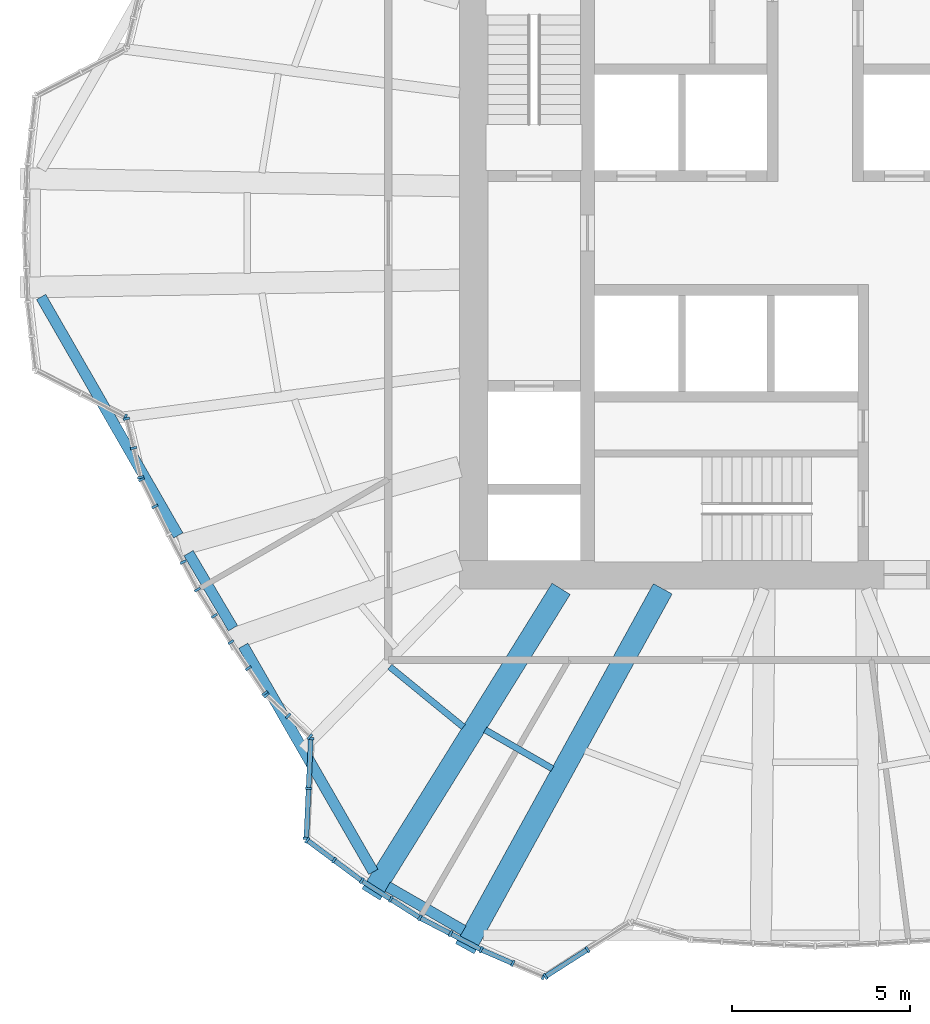
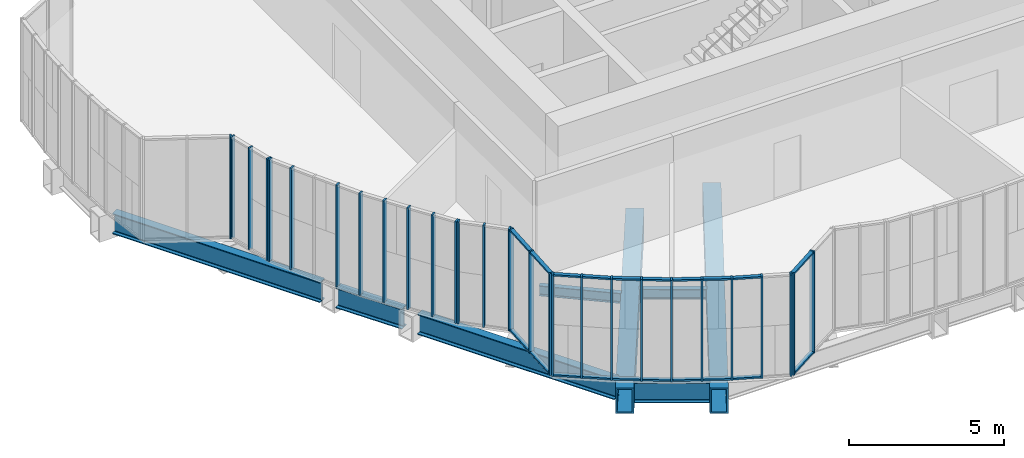
# One storey, part 1 of 24: 49 members, 8 beams, 13 elements without a shape of their own.
"""IFC4 building model written with IfcOpenShell, lengths in metres."""

from ifc_helpers import new_model, si_unit, direction, frame, origin, origin_2d, place, context, subcontext, project, spatial, rectangle, hollow_rectangle, i_section, extrude, material, material_profile, profile_set, type_object, element, aggregate, save


model = new_model("IFC4")

# Units and contexts
model_context = context("Model", 3, precision=1e-05, world=origin(), true_north=direction((0.0, 1.0)))
body_context = subcontext(model_context, "Body", "Model", "MODEL_VIEW")
ifc_project = project(units=[si_unit("LENGTHUNIT", "METRE"), si_unit("AREAUNIT", "SQUARE_METRE"), si_unit("VOLUMEUNIT", "CUBIC_METRE"), si_unit("PLANEANGLEUNIT", "RADIAN"), si_unit("MASSUNIT", "GRAM", prefix="KILO")], contexts=[model_context])

# Site, building, storey
site_placement = place(None, origin())
site = spatial("IfcSite", under=ifc_project, at=site_placement, CompositionType="ELEMENT")
building_placement = place(site_placement, origin())
building = spatial("IfcBuilding", under=site, at=building_placement, Name="Golbaran Civic Tower", CompositionType="ELEMENT")
storey_placement = place(building_placement, frame((0.0, 0.0, 25.0)))
storey = spatial("IfcBuildingStorey", under=building, at=storey_placement, Name="L05", CompositionType="ELEMENT", Elevation=25.0)

# Beams
ifc_material_1 = material(Name="Steel S355", Category="steel")
ifc_material_profile_1 = material_profile(ifc_material_1, i_section(OverallWidth=0.300048828125, OverallDepth=0.800048828125, WebThickness=0.017578125, FlangeThickness=0.032958984375, FilletRadius=0.030029296875, at=origin_2d()), Name="HEB 800")
ifc_profile_set_1 = profile_set([ifc_material_profile_1], Name="Steel S355")
beam_type_1 = type_object("IfcBeamType", Name="EDGE BEAM HEB 800", PredefinedType="BEAM", material=ifc_profile_set_1)
beam_1_placement = place(storey_placement, frame((-21.756591796875, -1.797607421875, -0.60009765625), z_axis=(0.498561902583, -0.866854099196, 0.0), x_axis=(0.866854099196, 0.498561902583, 0.0)))
element("IfcBeam", 1, at=beam_1_placement, inside=storey, type_object=beam_type_1, Name="Edge beam 183.83 L05", PredefinedType="BEAM", context=body_context, shape_type="SweptSolid", body=[
    extrude(i_section(OverallWidth=0.300048828125, OverallDepth=0.800048828125, WebThickness=0.017578125, FlangeThickness=0.032958984375, FilletRadius=0.030029296875, at=origin_2d()), origin(), (0.0, 0.0, 1.0), 7.730712890625),
])
beam_2_placement = place(storey_placement, frame((-17.61083984375, -8.998779296875, -0.60009765625), z_axis=(0.509256148857, -0.86061499804, 0.0), x_axis=(0.86061499804, 0.509256148857, 0.0)))
element("IfcBeam", 2, at=beam_2_placement, inside=storey, type_object=beam_type_1, Name="Edge beam 205.74 L05", PredefinedType="BEAM", context=body_context, shape_type="SweptSolid", body=[
    extrude(i_section(OverallWidth=0.300048828125, OverallDepth=0.800048828125, WebThickness=0.017578125, FlangeThickness=0.032958984375, FilletRadius=0.030029296875, at=origin_2d()), origin(), (0.0, 0.0, 1.0), 2.45068359375),
])
beam_3_placement = place(storey_placement, frame((-16.0751953125, -11.600830078125, -0.60009765625), z_axis=(0.498794630906, -0.866720206398, 0.0), x_axis=(0.866720206398, 0.498794630906, 0.0)))
element("IfcBeam", 3, at=beam_3_placement, inside=storey, type_object=beam_type_1, Name="Edge beam 214.26 L05", PredefinedType="BEAM", context=body_context, shape_type="SweptSolid", body=[
    extrude(i_section(OverallWidth=0.300048828125, OverallDepth=0.800048828125, WebThickness=0.017578125, FlangeThickness=0.032958984375, FilletRadius=0.030029296875, at=origin_2d()), origin(), (0.0, 0.0, 1.0), 7.32958984375),
])
beam_4_placement = place(storey_placement, frame((-12.01806640625, -18.368896484375, -0.60009765625), z_axis=(0.866183934036, -0.499725316967, 0.0), x_axis=(0.499725316967, 0.866183934036, 0.0)))
element("IfcBeam", 4, at=beam_4_placement, inside=storey, type_object=beam_type_1, Name="Edge beam 236.17 L05", PredefinedType="BEAM", context=body_context, shape_type="SweptSolid", body=[
    extrude(i_section(OverallWidth=0.300048828125, OverallDepth=0.800048828125, WebThickness=0.017578125, FlangeThickness=0.032958984375, FilletRadius=0.030029296875, at=origin_2d()), origin(), (0.0, 0.0, 1.0), 2.46044921875),
])
ifc_material_profile_2 = material_profile(ifc_material_1, i_section(OverallWidth=0.179931640625, OverallDepth=0.39990234375, WebThickness=0.008544921875, FlangeThickness=0.013427734375, FilletRadius=0.02099609375, at=origin_2d()), Name="IPE 400")
ifc_profile_set_2 = profile_set([ifc_material_profile_2], Name="Steel S355")
beam_type_2 = type_object("IfcBeamType", Name="FLOOR INFILL BEAM IPE 400", PredefinedType="BEAM", material=ifc_profile_set_2)
beam_5_placement = place(storey_placement, frame((-11.956787109375, -12.190673828125, -0.39990234375), z_axis=(0.773798586029, -0.633431723439, 0.0), x_axis=(0.633431723439, 0.773798586029, 0.0)))
element("IfcBeam", 5, at=beam_5_placement, inside=storey, type_object=beam_type_2, Name="Infill beam 230.69 L05", PredefinedType="BEAM", context=body_context, shape_type="SweptSolid", body=[
    extrude(i_section(OverallWidth=0.179931640625, OverallDepth=0.39990234375, WebThickness=0.008544921875, FlangeThickness=0.013427734375, FilletRadius=0.02099609375, at=origin_2d()), origin(), (0.0, 0.0, 1.0), 2.67333984375),
])
beam_6_placement = place(storey_placement, frame((-9.278076171875, -13.96337890625, -0.39990234375), z_axis=(0.865956542182, -0.500119252831, 0.0), x_axis=(0.500119252831, 0.865956542182, 0.0)))
element("IfcBeam", 6, at=beam_6_placement, inside=storey, type_object=beam_type_2, Name="Infill beam 240.00 L05", PredefinedType="BEAM", context=body_context, shape_type="SweptSolid", body=[
    extrude(i_section(OverallWidth=0.179931640625, OverallDepth=0.39990234375, WebThickness=0.008544921875, FlangeThickness=0.013427734375, FilletRadius=0.02099609375, at=origin_2d()), origin(), (0.0, 0.0, 1.0), 2.18359375),
])

# Curtain wall, member
ifc_material_2 = material(Name="Aluminium and glass", Category="aluminium")
curtain_wall_type = type_object("IfcCurtainWallType", Name="INNER SKIN CURTAIN WALL", PredefinedType="NOTDEFINED", material=ifc_material_2)
curtain_wall_1_placement = place(storey_placement, origin())
curtain_wall_1 = element("IfcCurtainWall", 7, at=curtain_wall_1_placement, inside=storey, type_object=curtain_wall_type, Name="Inner skin L05 facet 39 CW1", ObjectType="INNER SKIN", PredefinedType="USERDEFINED")
ifc_material_3 = material(Name="Aluminium", Category="aluminium")
ifc_material_profile_3 = material_profile(ifc_material_3, rectangle(XDim=0.179931640625, YDim=0.06494140625, at=origin_2d()), Name="INNER SKIN CURTAIN WALL MULLION")
ifc_profile_set_3 = profile_set([ifc_material_profile_3], Name="Aluminium")
member_type_1 = type_object("IfcMemberType", Name="INNER SKIN CURTAIN WALL MULLION", PredefinedType="MULLION", material=ifc_profile_set_3)
member_1_placement = place(storey_placement, frame((-19.392822265625, -5.173583984375, 0.0), z_axis=(0.0, 0.0, 1.0), x_axis=(0.460945090256, 0.887428658411, 0.0)))
member_1 = element("IfcMember", 8, at=member_1_placement, type_object=member_type_1, Name="CW1 mullion 3", PredefinedType="MULLION", context=body_context, shape_type="SweptSolid", body=[
    extrude(rectangle(XDim=0.179931640625, YDim=0.06494140625, at=origin_2d()), origin(), (0.0, 0.0, 1.0), 4.0),
])
aggregate(curtain_wall_1, [member_1])

# Curtain wall, members
curtain_wall_2_placement = place(storey_placement, origin())
curtain_wall_2 = element("IfcCurtainWall", 9, at=curtain_wall_2_placement, inside=storey, type_object=curtain_wall_type, Name="Inner skin L05 facet 40 CW1", ObjectType="INNER SKIN", PredefinedType="USERDEFINED")
member_2_placement = place(storey_placement, frame((-19.356201171875, -5.22021484375, 0.0), z_axis=(0.0, 0.0, 1.0), x_axis=(0.9718683836, 0.235524616461, 0.0)))
member_2 = element("IfcMember", 10, at=member_2_placement, type_object=member_type_1, Name="CW1 mullion 1", PredefinedType="MULLION", context=body_context, shape_type="SweptSolid", body=[
    extrude(rectangle(XDim=0.179931640625, YDim=0.06494140625, at=origin_2d()), origin(), (0.0, 0.0, 1.0), 4.0),
])
member_3_placement = place(storey_placement, frame((-19.156982421875, -6.04296875, 0.0), z_axis=(0.0, 0.0, 1.0), x_axis=(0.9718683836, 0.235524616461, 0.0)))
member_3 = element("IfcMember", 11, at=member_3_placement, type_object=member_type_1, Name="CW1 mullion 2", PredefinedType="MULLION", context=body_context, shape_type="SweptSolid", body=[
    extrude(rectangle(XDim=0.179931640625, YDim=0.06494140625, at=origin_2d()), origin(), (0.0, 0.0, 1.0), 4.0),
])
member_4_placement = place(storey_placement, frame((-18.95751953125, -6.865478515625, 0.0), z_axis=(0.0, 0.0, 1.0), x_axis=(0.9718683836, 0.235524616461, 0.0)))
member_4 = element("IfcMember", 12, at=member_4_placement, type_object=member_type_1, Name="CW1 mullion 3", PredefinedType="MULLION", context=body_context, shape_type="SweptSolid", body=[
    extrude(rectangle(XDim=0.179931640625, YDim=0.06494140625, at=origin_2d()), origin(), (0.0, 0.0, 1.0), 4.0),
])
aggregate(curtain_wall_2, [member_2, member_3, member_4])

curtain_wall_3_placement = place(storey_placement, origin())
curtain_wall_3 = element("IfcCurtainWall", 13, at=curtain_wall_3_placement, inside=storey, type_object=curtain_wall_type, Name="Inner skin L05 facet 41 CW1", ObjectType="INNER SKIN", PredefinedType="USERDEFINED")
member_5_placement = place(storey_placement, frame((-18.935302734375, -6.92626953125, 0.0), z_axis=(0.0, 0.0, 1.0), x_axis=(0.895886679922, 0.444282631597, 0.0)))
member_5 = element("IfcMember", 14, at=member_5_placement, type_object=member_type_1, Name="CW1 mullion 1", PredefinedType="MULLION", context=body_context, shape_type="SweptSolid", body=[
    extrude(rectangle(XDim=0.179931640625, YDim=0.06494140625, at=origin_2d()), origin(), (0.0, 0.0, 1.0), 4.0),
])
member_6_placement = place(storey_placement, frame((-18.559326171875, -7.684814453125, 0.0), z_axis=(0.0, 0.0, 1.0), x_axis=(0.895886679922, 0.444282631597, 0.0)))
member_6 = element("IfcMember", 15, at=member_6_placement, type_object=member_type_1, Name="CW1 mullion 2", PredefinedType="MULLION", context=body_context, shape_type="SweptSolid", body=[
    extrude(rectangle(XDim=0.179931640625, YDim=0.06494140625, at=origin_2d()), origin(), (0.0, 0.0, 1.0), 4.0),
])
aggregate(curtain_wall_3, [member_5, member_6])

curtain_wall_4_placement = place(storey_placement, origin())
curtain_wall_4 = element("IfcCurtainWall", 16, at=curtain_wall_4_placement, inside=storey, type_object=curtain_wall_type, Name="Inner skin L05 facet 42 CW1", ObjectType="INNER SKIN", PredefinedType="USERDEFINED")
member_7_placement = place(storey_placement, frame((-17.764892578125, -9.247802734375, 0.0), z_axis=(0.0, 0.0, 1.0), x_axis=(0.887010833202, 0.461748613189, 0.0)))
member_7 = element("IfcMember", 17, at=member_7_placement, type_object=member_type_1, Name="CW1 mullion 2", PredefinedType="MULLION", context=body_context, shape_type="SweptSolid", body=[
    extrude(rectangle(XDim=0.179931640625, YDim=0.06494140625, at=origin_2d()), origin(), (0.0, 0.0, 1.0), 4.0),
])
member_8_placement = place(storey_placement, frame((-17.361328125, -10.0234375, 0.0), z_axis=(0.0, 0.0, 1.0), x_axis=(0.866025403758, 0.500000000045, 0.0)))
member_8 = element("IfcMember", 18, at=member_8_placement, type_object=member_type_1, Name="CW1 mullion 3", PredefinedType="MULLION", context=body_context, shape_type="SweptSolid", body=[
    extrude(rectangle(XDim=0.179931640625, YDim=0.06494140625, at=origin_2d()), origin(), (0.0, 0.0, 1.0), 4.0),
])
aggregate(curtain_wall_4, [member_7, member_8])

curtain_wall_5_placement = place(storey_placement, origin())
curtain_wall_5 = element("IfcCurtainWall", 19, at=curtain_wall_5_placement, inside=storey, type_object=curtain_wall_type, Name="Inner skin L05 facet 43 CW1", ObjectType="INNER SKIN", PredefinedType="USERDEFINED")
member_9_placement = place(storey_placement, frame((-16.891357421875, -10.760986328125, 0.0), z_axis=(0.0, 0.0, 1.0), x_axis=(0.843391445841, 0.537299608303, 0.0)))
member_9 = element("IfcMember", 20, at=member_9_placement, type_object=member_type_1, Name="CW1 mullion 2", PredefinedType="MULLION", context=body_context, shape_type="SweptSolid", body=[
    extrude(rectangle(XDim=0.179931640625, YDim=0.06494140625, at=origin_2d()), origin(), (0.0, 0.0, 1.0), 4.0),
])
member_10_placement = place(storey_placement, frame((-16.421630859375, -11.49853515625, 0.0), z_axis=(0.0, 0.0, 1.0), x_axis=(0.838087628106, 0.54553563368, 0.0)))
member_10 = element("IfcMember", 21, at=member_10_placement, type_object=member_type_1, Name="CW1 mullion 3", PredefinedType="MULLION", context=body_context, shape_type="SweptSolid", body=[
    extrude(rectangle(XDim=0.179931640625, YDim=0.06494140625, at=origin_2d()), origin(), (0.0, 0.0, 1.0), 4.0),
])
aggregate(curtain_wall_5, [member_9, member_10])

curtain_wall_6_placement = place(storey_placement, origin())
curtain_wall_6 = element("IfcCurtainWall", 22, at=curtain_wall_6_placement, inside=storey, type_object=curtain_wall_type, Name="Inner skin L05 facet 44 CW1", ObjectType="INNER SKIN", PredefinedType="USERDEFINED")
member_11_placement = place(storey_placement, frame((-15.934814453125, -12.23046875, 0.0), z_axis=(0.0, 0.0, 1.0), x_axis=(0.832703385336, 0.553719307998, 0.0)))
member_11 = element("IfcMember", 23, at=member_11_placement, type_object=member_type_1, Name="CW1 mullion 2", PredefinedType="MULLION", context=body_context, shape_type="SweptSolid", body=[
    extrude(rectangle(XDim=0.179931640625, YDim=0.06494140625, at=origin_2d()), origin(), (0.0, 0.0, 1.0), 4.0),
])
member_12_placement = place(storey_placement, frame((-15.466064453125, -12.935302734375, 0.0), z_axis=(0.0, 0.0, 1.0), x_axis=(0.832703385336, 0.553719307998, 0.0)))
member_12 = element("IfcMember", 24, at=member_12_placement, type_object=member_type_1, Name="CW1 mullion 3", PredefinedType="MULLION", context=body_context, shape_type="SweptSolid", body=[
    extrude(rectangle(XDim=0.179931640625, YDim=0.06494140625, at=origin_2d()), origin(), (0.0, 0.0, 1.0), 4.0),
])
aggregate(curtain_wall_6, [member_11, member_12])

curtain_wall_7_placement = place(storey_placement, origin())
curtain_wall_7 = element("IfcCurtainWall", 25, at=curtain_wall_7_placement, inside=storey, type_object=curtain_wall_type, Name="Inner skin L05 facet 45 CW1", ObjectType="INNER SKIN", PredefinedType="USERDEFINED")
member_13_placement = place(storey_placement, frame((-15.424560546875, -12.98486328125, 0.0), z_axis=(0.0, 0.0, 1.0), x_axis=(0.689904492493, 0.723900401463, 0.0)))
member_13 = element("IfcMember", 26, at=member_13_placement, type_object=member_type_1, Name="CW1 mullion 1", PredefinedType="MULLION", context=body_context, shape_type="SweptSolid", body=[
    extrude(rectangle(XDim=0.179931640625, YDim=0.06494140625, at=origin_2d()), origin(), (0.0, 0.0, 1.0), 4.0),
])
member_14_placement = place(storey_placement, frame((-14.811767578125, -13.56884765625, 0.0), z_axis=(0.0, 0.0, 1.0), x_axis=(0.689904492493, 0.723900401463, 0.0)))
member_14 = element("IfcMember", 27, at=member_14_placement, type_object=member_type_1, Name="CW1 mullion 2", PredefinedType="MULLION", context=body_context, shape_type="SweptSolid", body=[
    extrude(rectangle(XDim=0.179931640625, YDim=0.06494140625, at=origin_2d()), origin(), (0.0, 0.0, 1.0), 4.0),
])
member_15_placement = place(storey_placement, frame((-14.198974609375, -14.15283203125, 0.0), z_axis=(0.0, 0.0, 1.0), x_axis=(0.689904492493, 0.723900401463, 0.0)))
member_15 = element("IfcMember", 28, at=member_15_placement, type_object=member_type_1, Name="CW1 mullion 3", PredefinedType="MULLION", context=body_context, shape_type="SweptSolid", body=[
    extrude(rectangle(XDim=0.179931640625, YDim=0.06494140625, at=origin_2d()), origin(), (0.0, 0.0, 1.0), 4.0),
])
aggregate(curtain_wall_7, [member_13, member_14, member_15])

curtain_wall_8_placement = place(storey_placement, origin())
curtain_wall_8 = element("IfcCurtainWall", 29, at=curtain_wall_8_placement, inside=storey, type_object=curtain_wall_type, Name="Inner skin L05 facet 46 CW1", ObjectType="INNER SKIN", PredefinedType="USERDEFINED")
member_16_placement = place(storey_placement, frame((-14.1767578125, -14.207763671875, 0.0), z_axis=(0.0, 0.0, 1.0), x_axis=(0.999008307341, -0.044524171678, 0.0)))
member_16 = element("IfcMember", 30, at=member_16_placement, type_object=member_type_1, Name="CW1 mullion 1", PredefinedType="MULLION", context=body_context, shape_type="SweptSolid", body=[
    extrude(rectangle(XDim=0.179931640625, YDim=0.06494140625, at=origin_2d()), origin(), (0.0, 0.0, 1.0), 4.0),
])
member_17_placement = place(storey_placement, frame((-14.2392578125, -15.610595703125, 0.0), z_axis=(0.0, 0.0, 1.0), x_axis=(0.999008307341, -0.044524171678, 0.0)))
member_17 = element("IfcMember", 31, at=member_17_placement, type_object=member_type_1, Name="CW1 mullion 2", PredefinedType="MULLION", context=body_context, shape_type="SweptSolid", body=[
    extrude(rectangle(XDim=0.179931640625, YDim=0.06494140625, at=origin_2d()), origin(), (0.0, 0.0, 1.0), 4.0),
])
member_18_placement = place(storey_placement, frame((-14.3017578125, -17.013671875, 0.0), z_axis=(0.0, 0.0, 1.0), x_axis=(0.999008307341, -0.044524171678, 0.0)))
member_18 = element("IfcMember", 32, at=member_18_placement, type_object=member_type_1, Name="CW1 mullion 3", PredefinedType="MULLION", context=body_context, shape_type="SweptSolid", body=[
    extrude(rectangle(XDim=0.179931640625, YDim=0.06494140625, at=origin_2d()), origin(), (0.0, 0.0, 1.0), 4.0),
])

curtain_wall_9_placement = place(storey_placement, origin())
curtain_wall_9 = element("IfcCurtainWall", 33, at=curtain_wall_9_placement, inside=storey, type_object=curtain_wall_type, Name="Inner skin L05 facet 47 CW1", ObjectType="INNER SKIN", PredefinedType="USERDEFINED")
member_19_placement = place(storey_placement, frame((-14.277099609375, -17.0654296875, 0.0), z_axis=(0.0, 0.0, 1.0), x_axis=(0.596019495177, 0.802969962931, 0.0)))
member_19 = element("IfcMember", 34, at=member_19_placement, type_object=member_type_1, Name="CW1 mullion 1", PredefinedType="MULLION", context=body_context, shape_type="SweptSolid", body=[
    extrude(rectangle(XDim=0.179931640625, YDim=0.06494140625, at=origin_2d()), origin(), (0.0, 0.0, 1.0), 4.0),
])
member_20_placement = place(storey_placement, frame((-13.5244140625, -17.624267578125, 0.0), z_axis=(0.0, 0.0, 1.0), x_axis=(0.596019495177, 0.802969962931, 0.0)))
member_20 = element("IfcMember", 35, at=member_20_placement, type_object=member_type_1, Name="CW1 mullion 2", PredefinedType="MULLION", context=body_context, shape_type="SweptSolid", body=[
    extrude(rectangle(XDim=0.179931640625, YDim=0.06494140625, at=origin_2d()), origin(), (0.0, 0.0, 1.0), 4.0),
])
member_21_placement = place(storey_placement, frame((-12.745361328125, -18.202392578125, 0.0), z_axis=(0.0, 0.0, 1.0), x_axis=(0.567019860077, 0.823704120591, 0.0)))
member_21 = element("IfcMember", 36, at=member_21_placement, type_object=member_type_1, Name="CW1 mullion 3", PredefinedType="MULLION", context=body_context, shape_type="SweptSolid", body=[
    extrude(rectangle(XDim=0.179931640625, YDim=0.06494140625, at=origin_2d()), origin(), (0.0, 0.0, 1.0), 4.0),
])

curtain_wall_10_placement = place(storey_placement, origin())
curtain_wall_10 = element("IfcCurtainWall", 37, at=curtain_wall_10_placement, inside=storey, type_object=curtain_wall_type, Name="Inner skin L05 facet 48 CW1", ObjectType="INNER SKIN", PredefinedType="USERDEFINED")
member_22_placement = place(storey_placement, frame((-11.927978515625, -18.72314453125, 0.0), z_axis=(0.0, 0.0, 1.0), x_axis=(0.537299608259, 0.843391445869, 0.0)))
member_22 = element("IfcMember", 38, at=member_22_placement, type_object=member_type_1, Name="CW1 mullion 2", PredefinedType="MULLION", context=body_context, shape_type="SweptSolid", body=[
    extrude(rectangle(XDim=0.179931640625, YDim=0.06494140625, at=origin_2d()), origin(), (0.0, 0.0, 1.0), 4.0),
])
member_23_placement = place(storey_placement, frame((-11.110595703125, -19.243896484375, 0.0), z_axis=(0.0, 0.0, 1.0), x_axis=(0.500000000045, 0.866025403758, 0.0)))
member_23 = element("IfcMember", 39, at=member_23_placement, type_object=member_type_1, Name="CW1 mullion 3", PredefinedType="MULLION", context=body_context, shape_type="SweptSolid", body=[
    extrude(rectangle(XDim=0.179931640625, YDim=0.06494140625, at=origin_2d()), origin(), (0.0, 0.0, 1.0), 4.0),
])

curtain_wall_11_placement = place(storey_placement, origin())
curtain_wall_11 = element("IfcCurtainWall", 40, at=curtain_wall_11_placement, inside=storey, type_object=curtain_wall_type, Name="Inner skin L05 facet 49 CW1", ObjectType="INNER SKIN", PredefinedType="USERDEFINED")
member_24_placement = place(storey_placement, frame((-10.250732421875, -19.69140625, 0.0), z_axis=(0.0, 0.0, 1.0), x_axis=(0.461748613514, 0.887010833033, 0.0)))
member_24 = element("IfcMember", 41, at=member_24_placement, type_object=member_type_1, Name="CW1 mullion 2", PredefinedType="MULLION", context=body_context, shape_type="SweptSolid", body=[
    extrude(rectangle(XDim=0.179931640625, YDim=0.06494140625, at=origin_2d()), origin(), (0.0, 0.0, 1.0), 4.0),
])
member_25_placement = place(storey_placement, frame((-9.39111328125, -20.13916015625, 0.0), z_axis=(0.0, 0.0, 1.0), x_axis=(0.429838763705, 0.90290566352, 0.0)))
member_25 = element("IfcMember", 42, at=member_25_placement, type_object=member_type_1, Name="CW1 mullion 3", PredefinedType="MULLION", context=body_context, shape_type="SweptSolid", body=[
    extrude(rectangle(XDim=0.179931640625, YDim=0.06494140625, at=origin_2d()), origin(), (0.0, 0.0, 1.0), 4.0),
])

curtain_wall_12_placement = place(storey_placement, origin())
curtain_wall_12 = element("IfcCurtainWall", 43, at=curtain_wall_12_placement, inside=storey, type_object=curtain_wall_type, Name="Inner skin L05 facet 50 CW1", ObjectType="INNER SKIN", PredefinedType="USERDEFINED")
member_26_placement = place(storey_placement, frame((-8.500732421875, -20.524658203125, 0.0), z_axis=(0.0, 0.0, 1.0), x_axis=(0.397382638705, 0.917653005474, 0.0)))
member_26 = element("IfcMember", 44, at=member_26_placement, type_object=member_type_1, Name="CW1 mullion 2", PredefinedType="MULLION", context=body_context, shape_type="SweptSolid", body=[
    extrude(rectangle(XDim=0.179931640625, YDim=0.06494140625, at=origin_2d()), origin(), (0.0, 0.0, 1.0), 4.0),
])
member_27_placement = place(storey_placement, frame((-7.640380859375, -20.897216796875, 0.0), z_axis=(0.0, 0.0, 1.0), x_axis=(0.397382638705, 0.917653005474, 0.0)))
member_27 = element("IfcMember", 45, at=member_27_placement, type_object=member_type_1, Name="CW1 mullion 3", PredefinedType="MULLION", context=body_context, shape_type="SweptSolid", body=[
    extrude(rectangle(XDim=0.179931640625, YDim=0.06494140625, at=origin_2d()), origin(), (0.0, 0.0, 1.0), 4.0),
])

curtain_wall_13_placement = place(storey_placement, origin())
curtain_wall_13 = element("IfcCurtainWall", 46, at=curtain_wall_13_placement, inside=storey, type_object=curtain_wall_type, Name="Inner skin L05 facet 51 CW1", ObjectType="INNER SKIN", PredefinedType="USERDEFINED")
member_28_placement = place(storey_placement, frame((-7.583251953125, -20.892578125, 0.0), z_axis=(0.0, 0.0, 1.0), x_axis=(-0.53806321722, 0.842904487042, 0.0)))
member_28 = element("IfcMember", 47, at=member_28_placement, type_object=member_type_1, Name="CW1 mullion 1", PredefinedType="MULLION", context=body_context, shape_type="SweptSolid", body=[
    extrude(rectangle(XDim=0.179931640625, YDim=0.06494140625, at=origin_2d()), origin(), (0.0, 0.0, 1.0), 4.0),
])
member_29_placement = place(storey_placement, frame((-6.399658203125, -20.136962890625, 0.0), z_axis=(0.0, 0.0, 1.0), x_axis=(-0.53806321722, 0.842904487042, 0.0)))
member_29 = element("IfcMember", 48, at=member_29_placement, type_object=member_type_1, Name="CW1 mullion 2", PredefinedType="MULLION", context=body_context, shape_type="SweptSolid", body=[
    extrude(rectangle(XDim=0.179931640625, YDim=0.06494140625, at=origin_2d()), origin(), (0.0, 0.0, 1.0), 4.0),
])

# Member
ifc_material_profile_4 = material_profile(ifc_material_3, rectangle(XDim=0.139892578125, YDim=0.06494140625, at=origin_2d()), Name="INNER SKIN CURTAIN WALL TRANSOM")
ifc_profile_set_4 = profile_set([ifc_material_profile_4], Name="Aluminium")
member_type_2 = type_object("IfcMemberType", Name="INNER SKIN CURTAIN WALL TRANSOM", PredefinedType="USERDEFINED", material=ifc_profile_set_4)
member_30_placement = place(storey_placement, frame((-14.17822265625, -14.240234375, 0.032470703125), z_axis=(-0.044481476472, -0.999010209283, 0.0), x_axis=(0.999010209283, -0.044481476472, 0.0)))
member_30 = element("IfcMember", 49, at=member_30_placement, type_object=member_type_2, Name="CW1 transom 1.1", ObjectType="TRANSOM", PredefinedType="USERDEFINED", context=body_context, shape_type="SweptSolid", body=[
    extrude(rectangle(XDim=0.139892578125, YDim=0.06494140625, at=origin_2d()), origin(), (0.0, 0.0, 1.0), 1.339111328125),
])

member_31_placement = place(storey_placement, frame((-14.17822265625, -14.240234375, 3.967529296875), z_axis=(-0.044481476472, -0.999010209283, 0.0), x_axis=(0.999010209283, -0.044481476472, 0.0)))
member_31 = element("IfcMember", 50, at=member_31_placement, type_object=member_type_2, Name="CW1 transom 1.2", ObjectType="TRANSOM", PredefinedType="USERDEFINED", context=body_context, shape_type="SweptSolid", body=[
    extrude(rectangle(XDim=0.139892578125, YDim=0.06494140625, at=origin_2d()), origin(), (0.0, 0.0, 1.0), 1.339111328125),
])

member_32_placement = place(storey_placement, frame((-14.24072265625, -15.64306640625, 0.032470703125), z_axis=(-0.044655282167, -0.99900245534, 0.0), x_axis=(0.99900245534, -0.044655282167, 0.0)))
member_32 = element("IfcMember", 51, at=member_32_placement, type_object=member_type_2, Name="CW1 transom 2.1", ObjectType="TRANSOM", PredefinedType="USERDEFINED", context=body_context, shape_type="SweptSolid", body=[
    extrude(rectangle(XDim=0.139892578125, YDim=0.06494140625, at=origin_2d()), origin(), (0.0, 0.0, 1.0), 1.33935546875),
])

member_33_placement = place(storey_placement, frame((-14.24072265625, -15.64306640625, 3.967529296875), z_axis=(-0.044655282167, -0.99900245534, 0.0), x_axis=(0.99900245534, -0.044655282167, 0.0)))
member_33 = element("IfcMember", 52, at=member_33_placement, type_object=member_type_2, Name="CW1 transom 2.2", ObjectType="TRANSOM", PredefinedType="USERDEFINED", context=body_context, shape_type="SweptSolid", body=[
    extrude(rectangle(XDim=0.139892578125, YDim=0.06494140625, at=origin_2d()), origin(), (0.0, 0.0, 1.0), 1.33935546875),
])

aggregate(curtain_wall_8, [member_16, member_17, member_18, member_30, member_31, member_32, member_33])

member_34_placement = place(storey_placement, frame((-14.251220703125, -17.084716796875, 0.032470703125), z_axis=(0.803011640131, -0.595963342676, 0.0), x_axis=(0.595963342676, 0.803011640131, 0.0)))
member_34 = element("IfcMember", 53, at=member_34_placement, type_object=member_type_2, Name="CW1 transom 1.1", ObjectType="TRANSOM", PredefinedType="USERDEFINED", context=body_context, shape_type="SweptSolid", body=[
    extrude(rectangle(XDim=0.139892578125, YDim=0.06494140625, at=origin_2d()), origin(), (0.0, 0.0, 1.0), 0.87255859375),
])

member_35_placement = place(storey_placement, frame((-14.251220703125, -17.084716796875, 3.967529296875), z_axis=(0.803011640131, -0.595963342676, 0.0), x_axis=(0.595963342676, 0.803011640131, 0.0)))
member_35 = element("IfcMember", 54, at=member_35_placement, type_object=member_type_2, Name="CW1 transom 1.2", ObjectType="TRANSOM", PredefinedType="USERDEFINED", context=body_context, shape_type="SweptSolid", body=[
    extrude(rectangle(XDim=0.139892578125, YDim=0.06494140625, at=origin_2d()), origin(), (0.0, 0.0, 1.0), 0.87255859375),
])

member_36_placement = place(storey_placement, frame((-13.498291015625, -17.6435546875, 0.032470703125), z_axis=(0.802935627564, -0.59606574972, 0.0), x_axis=(0.59606574972, 0.802935627564, 0.0)))
member_36 = element("IfcMember", 55, at=member_36_placement, type_object=member_type_2, Name="CW1 transom 2.1", ObjectType="TRANSOM", PredefinedType="USERDEFINED", context=body_context, shape_type="SweptSolid", body=[
    extrude(rectangle(XDim=0.139892578125, YDim=0.06494140625, at=origin_2d()), origin(), (0.0, 0.0, 1.0), 0.9052734375),
])

member_37_placement = place(storey_placement, frame((-13.498291015625, -17.6435546875, 3.967529296875), z_axis=(0.802935627564, -0.59606574972, 0.0), x_axis=(0.59606574972, 0.802935627564, 0.0)))
member_37 = element("IfcMember", 56, at=member_37_placement, type_object=member_type_2, Name="CW1 transom 2.2", ObjectType="TRANSOM", PredefinedType="USERDEFINED", context=body_context, shape_type="SweptSolid", body=[
    extrude(rectangle(XDim=0.139892578125, YDim=0.06494140625, at=origin_2d()), origin(), (0.0, 0.0, 1.0), 0.9052734375),
])

aggregate(curtain_wall_9, [member_19, member_20, member_21, member_34, member_35, member_36, member_37])

member_38_placement = place(storey_placement, frame((-12.718017578125, -18.2197265625, 0.032470703125), z_axis=(0.843294489166, -0.537451769504, 0.0), x_axis=(0.537451769504, 0.843294489166, 0.0)))
member_38 = element("IfcMember", 57, at=member_38_placement, type_object=member_type_2, Name="CW1 transom 1.1", ObjectType="TRANSOM", PredefinedType="USERDEFINED", context=body_context, shape_type="SweptSolid", body=[
    extrude(rectangle(XDim=0.139892578125, YDim=0.06494140625, at=origin_2d()), origin(), (0.0, 0.0, 1.0), 0.904541015625),
])

member_39_placement = place(storey_placement, frame((-12.718017578125, -18.2197265625, 3.967529296875), z_axis=(0.843294489166, -0.537451769504, 0.0), x_axis=(0.537451769504, 0.843294489166, 0.0)))
member_39 = element("IfcMember", 58, at=member_39_placement, type_object=member_type_2, Name="CW1 transom 1.2", ObjectType="TRANSOM", PredefinedType="USERDEFINED", context=body_context, shape_type="SweptSolid", body=[
    extrude(rectangle(XDim=0.139892578125, YDim=0.06494140625, at=origin_2d()), origin(), (0.0, 0.0, 1.0), 0.904541015625),
])

member_40_placement = place(storey_placement, frame((-11.900634765625, -18.74072265625, 0.032470703125), z_axis=(0.843416830276, -0.537259760643, 0.0), x_axis=(0.537259760643, 0.843416830276, 0.0)))
member_40 = element("IfcMember", 59, at=member_40_placement, type_object=member_type_2, Name="CW1 transom 2.1", ObjectType="TRANSOM", PredefinedType="USERDEFINED", context=body_context, shape_type="SweptSolid", body=[
    extrude(rectangle(XDim=0.139892578125, YDim=0.06494140625, at=origin_2d()), origin(), (0.0, 0.0, 1.0), 0.904296875),
])

member_41_placement = place(storey_placement, frame((-11.900634765625, -18.74072265625, 3.967529296875), z_axis=(0.843416830276, -0.537259760643, 0.0), x_axis=(0.537259760643, 0.843416830276, 0.0)))
member_41 = element("IfcMember", 60, at=member_41_placement, type_object=member_type_2, Name="CW1 transom 2.2", ObjectType="TRANSOM", PredefinedType="USERDEFINED", context=body_context, shape_type="SweptSolid", body=[
    extrude(rectangle(XDim=0.139892578125, YDim=0.06494140625, at=origin_2d()), origin(), (0.0, 0.0, 1.0), 0.904296875),
])

aggregate(curtain_wall_10, [member_22, member_23, member_38, member_39, member_40, member_41])

member_42_placement = place(storey_placement, frame((-11.081787109375, -19.259033203125, 0.032470703125), z_axis=(0.887075321652, -0.461624710902, 0.0), x_axis=(0.461624710902, 0.887075321652, 0.0)))
member_42 = element("IfcMember", 61, at=member_42_placement, type_object=member_type_2, Name="CW1 transom 1.1", ObjectType="TRANSOM", PredefinedType="USERDEFINED", context=body_context, shape_type="SweptSolid", body=[
    extrude(rectangle(XDim=0.139892578125, YDim=0.06494140625, at=origin_2d()), origin(), (0.0, 0.0, 1.0), 0.904296875),
])

member_43_placement = place(storey_placement, frame((-11.081787109375, -19.259033203125, 3.967529296875), z_axis=(0.887075321652, -0.461624710902, 0.0), x_axis=(0.461624710902, 0.887075321652, 0.0)))
member_43 = element("IfcMember", 62, at=member_43_placement, type_object=member_type_2, Name="CW1 transom 1.2", ObjectType="TRANSOM", PredefinedType="USERDEFINED", context=body_context, shape_type="SweptSolid", body=[
    extrude(rectangle(XDim=0.139892578125, YDim=0.06494140625, at=origin_2d()), origin(), (0.0, 0.0, 1.0), 0.904296875),
])

member_44_placement = place(storey_placement, frame((-10.221923828125, -19.70654296875, 0.032470703125), z_axis=(0.887017774073, -0.461735279655, 0.0), x_axis=(0.461735279655, 0.887017774073, 0.0)))
member_44 = element("IfcMember", 63, at=member_44_placement, type_object=member_type_2, Name="CW1 transom 2.1", ObjectType="TRANSOM", PredefinedType="USERDEFINED", context=body_context, shape_type="SweptSolid", body=[
    extrude(rectangle(XDim=0.139892578125, YDim=0.06494140625, at=origin_2d()), origin(), (0.0, 0.0, 1.0), 0.904052734375),
])

member_45_placement = place(storey_placement, frame((-10.221923828125, -19.70654296875, 3.967529296875), z_axis=(0.887017774073, -0.461735279655, 0.0), x_axis=(0.461735279655, 0.887017774073, 0.0)))
member_45 = element("IfcMember", 64, at=member_45_placement, type_object=member_type_2, Name="CW1 transom 2.2", ObjectType="TRANSOM", PredefinedType="USERDEFINED", context=body_context, shape_type="SweptSolid", body=[
    extrude(rectangle(XDim=0.139892578125, YDim=0.06494140625, at=origin_2d()), origin(), (0.0, 0.0, 1.0), 0.904052734375),
])

aggregate(curtain_wall_11, [member_24, member_25, member_42, member_43, member_44, member_45])

member_46_placement = place(storey_placement, frame((-9.361083984375, -20.152099609375, 0.032470703125), z_axis=(0.917631075414, -0.397433276708, 0.0), x_axis=(0.397433276708, 0.917631075414, 0.0)))
member_46 = element("IfcMember", 65, at=member_46_placement, type_object=member_type_2, Name="CW1 transom 1.1", ObjectType="TRANSOM", PredefinedType="USERDEFINED", context=body_context, shape_type="SweptSolid", body=[
    extrude(rectangle(XDim=0.139892578125, YDim=0.06494140625, at=origin_2d()), origin(), (0.0, 0.0, 1.0), 0.90478515625),
])

member_47_placement = place(storey_placement, frame((-9.361083984375, -20.152099609375, 3.967529296875), z_axis=(0.917631075414, -0.397433276708, 0.0), x_axis=(0.397433276708, 0.917631075414, 0.0)))
member_47 = element("IfcMember", 66, at=member_47_placement, type_object=member_type_2, Name="CW1 transom 1.2", ObjectType="TRANSOM", PredefinedType="USERDEFINED", context=body_context, shape_type="SweptSolid", body=[
    extrude(rectangle(XDim=0.139892578125, YDim=0.06494140625, at=origin_2d()), origin(), (0.0, 0.0, 1.0), 0.90478515625),
])

aggregate(curtain_wall_12, [member_26, member_27, member_46, member_47])

member_48_placement = place(storey_placement, frame((-7.555908203125, -20.875, 0.032470703125), z_axis=(0.842962666543, 0.537972065088, 0.0), x_axis=(-0.537972065088, 0.842962666543, 0.0)))
member_48 = element("IfcMember", 67, at=member_48_placement, type_object=member_type_2, Name="CW1 transom 1.1", ObjectType="TRANSOM", PredefinedType="USERDEFINED", context=body_context, shape_type="SweptSolid", body=[
    extrude(rectangle(XDim=0.139892578125, YDim=0.06494140625, at=origin_2d()), origin(), (0.0, 0.0, 1.0), 1.339111328125),
])

member_49_placement = place(storey_placement, frame((-7.555908203125, -20.875, 3.967529296875), z_axis=(0.842962666543, 0.537972065088, 0.0), x_axis=(-0.537972065088, 0.842962666543, 0.0)))
member_49 = element("IfcMember", 68, at=member_49_placement, type_object=member_type_2, Name="CW1 transom 1.2", ObjectType="TRANSOM", PredefinedType="USERDEFINED", context=body_context, shape_type="SweptSolid", body=[
    extrude(rectangle(XDim=0.139892578125, YDim=0.06494140625, at=origin_2d()), origin(), (0.0, 0.0, 1.0), 1.339111328125),
])

aggregate(curtain_wall_13, [member_28, member_29, member_48, member_49])

# Beams
ifc_material_profile_5 = material_profile(ifc_material_1, hollow_rectangle(XDim=0.60009765625, YDim=1.0, WallThickness=0.06005859375, at=origin_2d()), Name="BOX 1000x600x60")
ifc_profile_set_5 = profile_set([ifc_material_profile_5], Name="Steel S355")
beam_type_3 = type_object("IfcBeamType", Name="RADIAL FLOOR BEAM BOX 1000x600x60", PredefinedType="BEAM", material=ifc_profile_set_5)
beam_7_placement = place(storey_placement, frame((-7.142822265625, -10.0, -0.7099609375), z_axis=(-0.528145317025, -0.849154004939, 0.0), x_axis=(0.849154004939, -0.528145317025, 0.0)))
element("IfcBeam", 69, at=beam_7_placement, inside=storey, type_object=beam_type_3, Name="Radial beam 236.17 L05", PredefinedType="BEAM", context=body_context, shape_type="SweptSolid", body=[
    extrude(hollow_rectangle(XDim=0.60009765625, YDim=1.0, WallThickness=0.06005859375, at=origin_2d()), origin(), (0.0, 0.0, 1.0), 10.117431640625),
])
beam_8_placement = place(storey_placement, frame((-4.28564453125, -10.0, -0.7099609375), z_axis=(-0.482103044256, -0.876114521463, 0.0), x_axis=(0.876114521463, -0.482103044256, 0.0)))
element("IfcBeam", 70, at=beam_8_placement, inside=storey, type_object=beam_type_3, Name="Radial beam 243.83 L05", PredefinedType="BEAM", context=body_context, shape_type="SweptSolid", body=[
    extrude(hollow_rectangle(XDim=0.60009765625, YDim=1.0, WallThickness=0.06005859375, at=origin_2d()), origin(), (0.0, 0.0, 1.0), 11.54296875),
])

save(model, "model.ifc")
